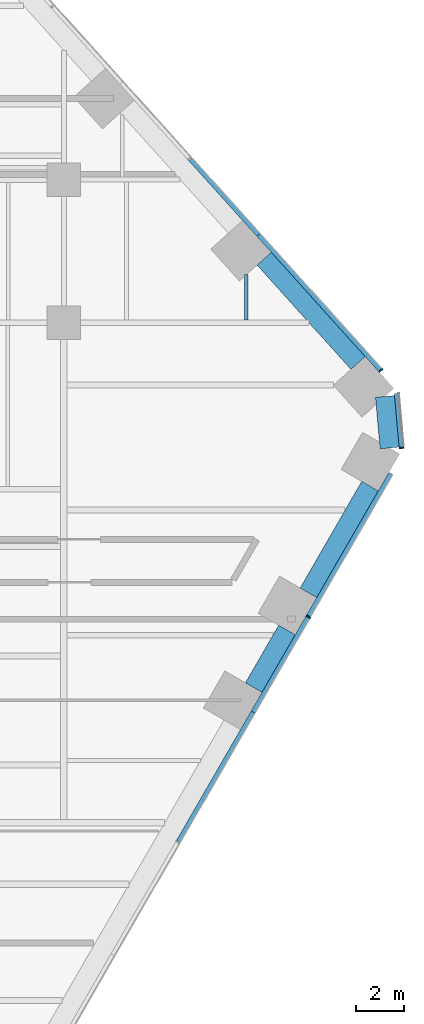
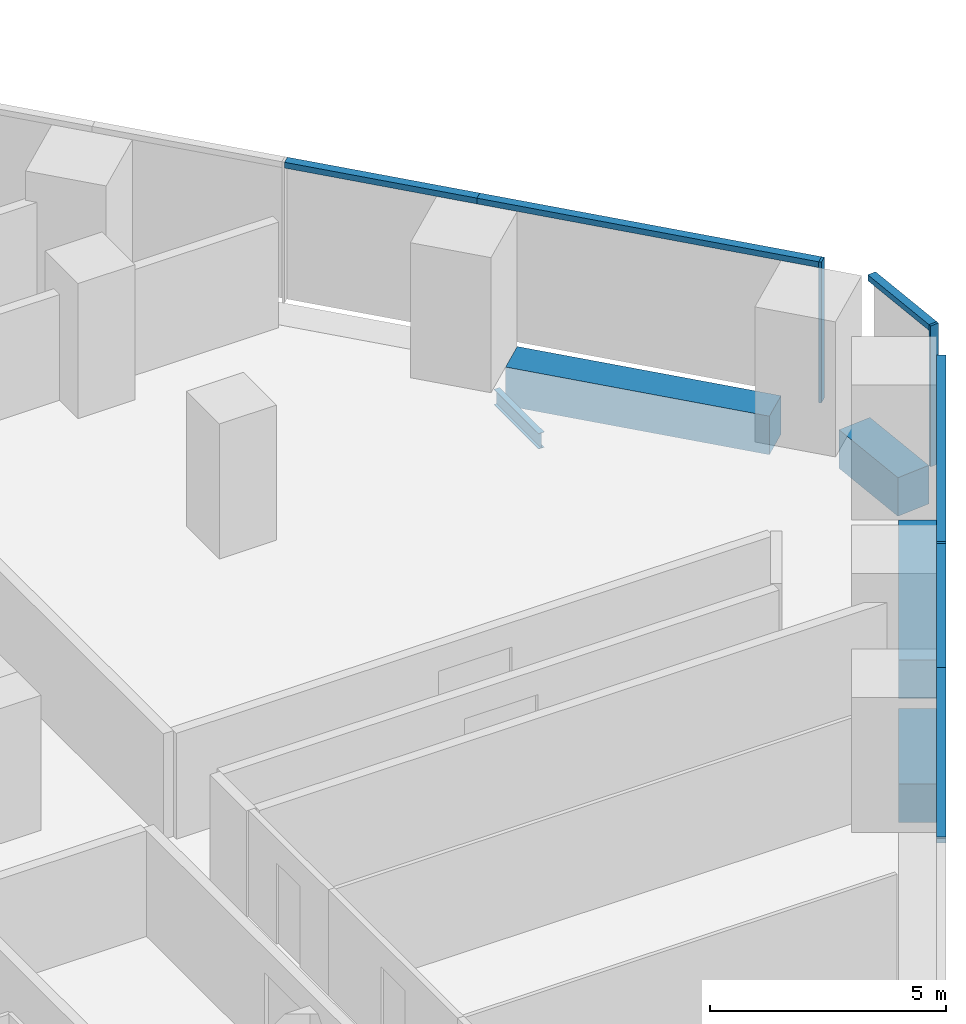
# One storey, part 11 of 20: 9 members, 5 beams, 3 elements without a shape of their own.
"""IFC4 building model written with IfcOpenShell, lengths in metres."""

from ifc_helpers import new_model, si_unit, direction, frame, origin, origin_2d, place, context, subcontext, project, spatial, rectangle, i_section, extrude, material, layer, layer_set, material_profile, profile_set, type_object, element, aggregate, save


model = new_model("IFC4")

# Units and contexts
model_context = context("Model", 3, precision=1e-05, world=origin(), true_north=direction((0.0, 1.0)))
body_context = subcontext(model_context, "Body", "Model", "MODEL_VIEW")
ifc_project = project(units=[si_unit("LENGTHUNIT", "METRE"), si_unit("AREAUNIT", "SQUARE_METRE"), si_unit("VOLUMEUNIT", "CUBIC_METRE"), si_unit("PLANEANGLEUNIT", "RADIAN"), si_unit("MASSUNIT", "GRAM", prefix="KILO")], contexts=[model_context])

# Site, building, storey
site_placement = place(None, origin())
site = spatial("IfcSite", under=ifc_project, at=site_placement, CompositionType="ELEMENT")
building_placement = place(site_placement, origin())
building = spatial("IfcBuilding", under=site, at=building_placement, Name="Isthmus Gate Tower", CompositionType="ELEMENT")
storey_placement = place(building_placement, frame((0.0, 0.0, 57.89990234375)))
storey = spatial("IfcBuildingStorey", under=building, at=storey_placement, Name="L12", CompositionType="ELEMENT", Elevation=57.89990234375)

# Curtain wall, member
ifc_material_1 = material(Name="Aluminium, pale champagne anodised", Category="aluminium")
ifc_layer = layer(ifc_material_1, 0.199951171875)
ifc_layer_set = layer_set([ifc_layer], Name="CW-1 UNITISED CURTAIN WALL 200 DEEP")
curtain_wall_type = type_object("IfcCurtainWallType", Name="CW-1 UNITISED CURTAIN WALL 200 DEEP", PredefinedType="NOTDEFINED", material=ifc_layer_set)
curtain_wall_1_placement = place(storey_placement, origin())
curtain_wall_1 = element("IfcCurtainWall", 1, at=curtain_wall_1_placement, inside=storey, type_object=curtain_wall_type, Name="CW-1 SE L12", PredefinedType="NOTDEFINED")
ifc_material_2 = material(Name="Aluminium, pale champagne anodised", Category="aluminium")
ifc_material_profile_1 = material_profile(ifc_material_2, rectangle(XDim=0.06005859375, YDim=0.199951171875, at=origin_2d()), Name="60x200")
ifc_profile_set_1 = profile_set([ifc_material_profile_1], Name="Aluminium, pale champagne anodised")
member_type_1 = type_object("IfcMemberType", Name="CW-1 MULLION 60 X 200", PredefinedType="MULLION", material=ifc_profile_set_1)
member_1_placement = place(storey_placement, frame((34.267822265625, -4.846435546875, 0.0), z_axis=(0.0, 0.0, 1.0), x_axis=(0.5, 0.866025403784, 0.0)))
member_1 = element("IfcMember", 2, at=member_1_placement, type_object=member_type_1, Name="CW-1 mullion", PredefinedType="MULLION", context=body_context, shape_type="SweptSolid", body=[
    extrude(rectangle(XDim=0.06005859375, YDim=0.199951171875, at=origin_2d()), origin(), (0.0, 0.0, 1.0), 3.650146484375),
])

curtain_wall_2_placement = place(storey_placement, origin())
curtain_wall_2 = element("IfcCurtainWall", 3, at=curtain_wall_2_placement, inside=storey, type_object=curtain_wall_type, Name="CW-1 SE-NE L12", PredefinedType="NOTDEFINED")
member_2_placement = place(storey_placement, frame((38.178955078125, 2.24169921875, 0.0), z_axis=(0.0, 0.0, 1.0), x_axis=(-0.089396669717, 0.995996102123, 0.0)))
member_2 = element("IfcMember", 4, at=member_2_placement, type_object=member_type_1, Name="CW-1 mullion", PredefinedType="MULLION", context=body_context, shape_type="SweptSolid", body=[
    extrude(rectangle(XDim=0.06005859375, YDim=0.199951171875, at=origin_2d()), origin(), (0.0, 0.0, 1.0), 3.650146484375),
])

curtain_wall_3_placement = place(storey_placement, origin())
curtain_wall_3 = element("IfcCurtainWall", 5, at=curtain_wall_3_placement, inside=storey, type_object=curtain_wall_type, Name="CW-1 NE L12", PredefinedType="NOTDEFINED")
member_3_placement = place(storey_placement, frame((37.306640625, 5.494384765625, 0.0), z_axis=(0.0, 0.0, 1.0), x_axis=(-0.669130606359, 0.743144825477, 0.0)))
member_3 = element("IfcMember", 6, at=member_3_placement, type_object=member_type_1, Name="CW-1 mullion", PredefinedType="MULLION", context=body_context, shape_type="SweptSolid", body=[
    extrude(rectangle(XDim=0.06005859375, YDim=0.199951171875, at=origin_2d()), origin(), (0.0, 0.0, 1.0), 3.650146484375),
])

# Member
ifc_material_3 = material(Name="Aluminium, pale champagne anodised", Category="aluminium")
ifc_material_profile_2 = material_profile(ifc_material_3, rectangle(XDim=0.199951171875, YDim=0.14990234375, at=origin_2d()), Name="200x150")
ifc_profile_set_2 = profile_set([ifc_material_profile_2], Name="Aluminium, pale champagne anodised")
member_type_2 = type_object("IfcMemberType", Name="CW-1 TRANSOM 200 X 150", PredefinedType="USERDEFINED", material=ifc_profile_set_2)
member_4_placement = place(storey_placement, frame((28.817138671875, -14.287353515625, 3.5751953125), z_axis=(0.499995104884, 0.866028229963, 0.0), x_axis=(-0.866028229963, 0.499995104884, 0.0)))
member_4 = element("IfcMember", 7, at=member_4_placement, type_object=member_type_2, Name="CW-1 transom", ObjectType="TRANSOM", PredefinedType="USERDEFINED", context=body_context, shape_type="SweptSolid", body=[
    extrude(rectangle(XDim=0.199951171875, YDim=0.14990234375, at=origin_2d()), origin(), (0.0, 0.0, 1.0), 6.2783203125),
])

member_5_placement = place(storey_placement, frame((31.956298828125, -8.85009765625, 3.5751953125), z_axis=(0.499992401796, 0.866029790565, 0.0), x_axis=(-0.866029790565, 0.499992401796, 0.0)))
member_5 = element("IfcMember", 8, at=member_5_placement, type_object=member_type_2, Name="CW-1 transom", ObjectType="TRANSOM", PredefinedType="USERDEFINED", context=body_context, shape_type="SweptSolid", body=[
    extrude(rectangle(XDim=0.199951171875, YDim=0.14990234375, at=origin_2d()), origin(), (0.0, 0.0, 1.0), 4.5927734375),
])

member_6_placement = place(storey_placement, frame((34.28271484375, -4.820556640625, 3.5751953125), z_axis=(0.500003839917, 0.866023186796, 0.0), x_axis=(-0.866023186796, 0.500003839917, 0.0)))
member_6 = element("IfcMember", 9, at=member_6_placement, type_object=member_type_2, Name="CW-1 transom", ObjectType="TRANSOM", PredefinedType="USERDEFINED", context=body_context, shape_type="SweptSolid", body=[
    extrude(rectangle(XDim=0.199951171875, YDim=0.14990234375, at=origin_2d()), origin(), (0.0, 0.0, 1.0), 6.90966796875),
])

aggregate(curtain_wall_1, [member_4, member_5, member_1, member_6])

member_7_placement = place(storey_placement, frame((38.17626953125, 2.271728515625, 3.5751953125), z_axis=(-0.089395362867, 0.995996219419, 0.0), x_axis=(-0.995996219419, -0.089395362867, 0.0)))
member_7 = element("IfcMember", 10, at=member_7_placement, type_object=member_type_2, Name="CW-1 transom", ObjectType="TRANSOM", PredefinedType="USERDEFINED", context=body_context, shape_type="SweptSolid", body=[
    extrude(rectangle(XDim=0.199951171875, YDim=0.14990234375, at=origin_2d()), origin(), (0.0, 0.0, 1.0), 2.258544921875),
])

aggregate(curtain_wall_2, [member_2, member_7])

member_8_placement = place(storey_placement, frame((37.28662109375, 5.5166015625, 3.5751953125), z_axis=(-0.66912913739, 0.74314614814, 0.0), x_axis=(-0.74314614814, -0.66912913739, 0.0)))
member_8 = element("IfcMember", 11, at=member_8_placement, type_object=member_type_2, Name="CW-1 transom", ObjectType="TRANSOM", PredefinedType="USERDEFINED", context=body_context, shape_type="SweptSolid", body=[
    extrude(rectangle(XDim=0.199951171875, YDim=0.14990234375, at=origin_2d()), origin(), (0.0, 0.0, 1.0), 7.62939453125),
])

member_9_placement = place(storey_placement, frame((32.181640625, 11.186279296875, 3.5751953125), z_axis=(-0.669131169216, 0.743144318678, 0.0), x_axis=(-0.743144318678, -0.669131169216, 0.0)))
member_9 = element("IfcMember", 12, at=member_9_placement, type_object=member_type_2, Name="CW-1 transom", ObjectType="TRANSOM", PredefinedType="USERDEFINED", context=body_context, shape_type="SweptSolid", body=[
    extrude(rectangle(XDim=0.199951171875, YDim=0.14990234375, at=origin_2d()), origin(), (0.0, 0.0, 1.0), 4.294677734375),
])

aggregate(curtain_wall_3, [member_3, member_8, member_9])

# Beams
ifc_material_4 = material(Name="Concrete f'c 70 MPa", Category="concrete")
ifc_material_profile_3 = material_profile(ifc_material_4, rectangle(XDim=0.800048828125, YDim=1.0, at=origin_2d()), Name="RC 800X1000")
ifc_profile_set_3 = profile_set([ifc_material_profile_3], Name="Concrete f'c 70 MPa")
beam_type_1 = type_object("IfcBeamType", Name="RC SPANDREL 800 X 1000", PredefinedType="SPANDREL", material=ifc_profile_set_3)
beam_1_placement = place(storey_placement, frame((32.412353515625, 10.182861328125, -0.5), z_axis=(0.669138782017, -0.743137464001, 0.0), x_axis=(0.743137464001, 0.669138782017, 0.0)))
element("IfcBeam", 13, at=beam_1_placement, inside=storey, type_object=beam_type_1, Name="str-spandrel-L12-04", PredefinedType="SPANDREL", context=body_context, shape_type="SweptSolid", body=[
    extrude(rectangle(XDim=0.800048828125, YDim=1.0, at=origin_2d()), origin(), (0.0, 0.0, 1.0), 5.88916015625),
])
beam_2_placement = place(storey_placement, frame((37.483154296875, 4.40185546875, -0.5), z_axis=(0.089421511639, -0.995993872098, 0.0), x_axis=(0.995993872098, 0.089421511639, 0.0)))
element("IfcBeam", 14, at=beam_2_placement, inside=storey, type_object=beam_type_1, Name="str-spandrel-L12-05", PredefinedType="SPANDREL", context=body_context, shape_type="SweptSolid", body=[
    extrude(rectangle(XDim=0.800048828125, YDim=1.0, at=origin_2d()), origin(), (0.0, 0.0, 1.0), 2.17333984375),
])
beam_3_placement = place(storey_placement, frame((36.8544921875, 0.6337890625, -0.5), z_axis=(-0.50000453793, -0.866022783793, 0.0), x_axis=(0.866022783793, -0.50000453793, 0.0)))
element("IfcBeam", 15, at=beam_3_placement, inside=storey, type_object=beam_type_1, Name="str-spandrel-L12-06", PredefinedType="SPANDREL", context=body_context, shape_type="SweptSolid", body=[
    extrude(rectangle(XDim=0.800048828125, YDim=1.0, at=origin_2d()), origin(), (0.0, 0.0, 1.0), 5.16943359375),
])
beam_4_placement = place(storey_placement, frame((33.369873046875, -5.40185546875, -0.5), z_axis=(-0.500012514453, -0.866018178441, 0.0), x_axis=(0.866018178441, -0.500012514453, 0.0)))
element("IfcBeam", 16, at=beam_4_placement, inside=storey, type_object=beam_type_1, Name="str-spandrel-L12-07", PredefinedType="SPANDREL", context=body_context, shape_type="SweptSolid", body=[
    extrude(rectangle(XDim=0.800048828125, YDim=1.0, at=origin_2d()), origin(), (0.0, 0.0, 1.0), 2.79296875),
])
ifc_material_5 = material(Name="Structural steel ASTM A992 Gr 50", Category="steel")
ifc_material_profile_4 = material_profile(ifc_material_5, i_section(OverallWidth=0.1396484375, OverallDepth=0.4033203125, WebThickness=0.00634765625, FlangeThickness=0.010986328125, at=origin_2d()), Name="W16X31")
ifc_profile_set_4 = profile_set([ifc_material_profile_4], Name="Structural steel ASTM A992 Gr 50")
beam_type_2 = type_object("IfcBeamType", Name="STEEL FLOOR BEAM W16X31", PredefinedType="JOIST", material=ifc_profile_set_4)
beam_5_placement = place(storey_placement, frame((31.666259765625, 7.6142578125, -0.3515625), z_axis=(0.0, 1.0, 0.0), x_axis=(-1.0, 0.0, 0.0)))
element("IfcBeam", 17, at=beam_5_placement, inside=storey, type_object=beam_type_2, Name="str-beam-L12-33-01", PredefinedType="JOIST", context=body_context, shape_type="SweptSolid", body=[
    extrude(i_section(OverallWidth=0.1396484375, OverallDepth=0.4033203125, WebThickness=0.00634765625, FlangeThickness=0.010986328125, at=origin_2d()), origin(), (0.0, 0.0, 1.0), 1.89697265625),
])

save(model, "model.ifc")
